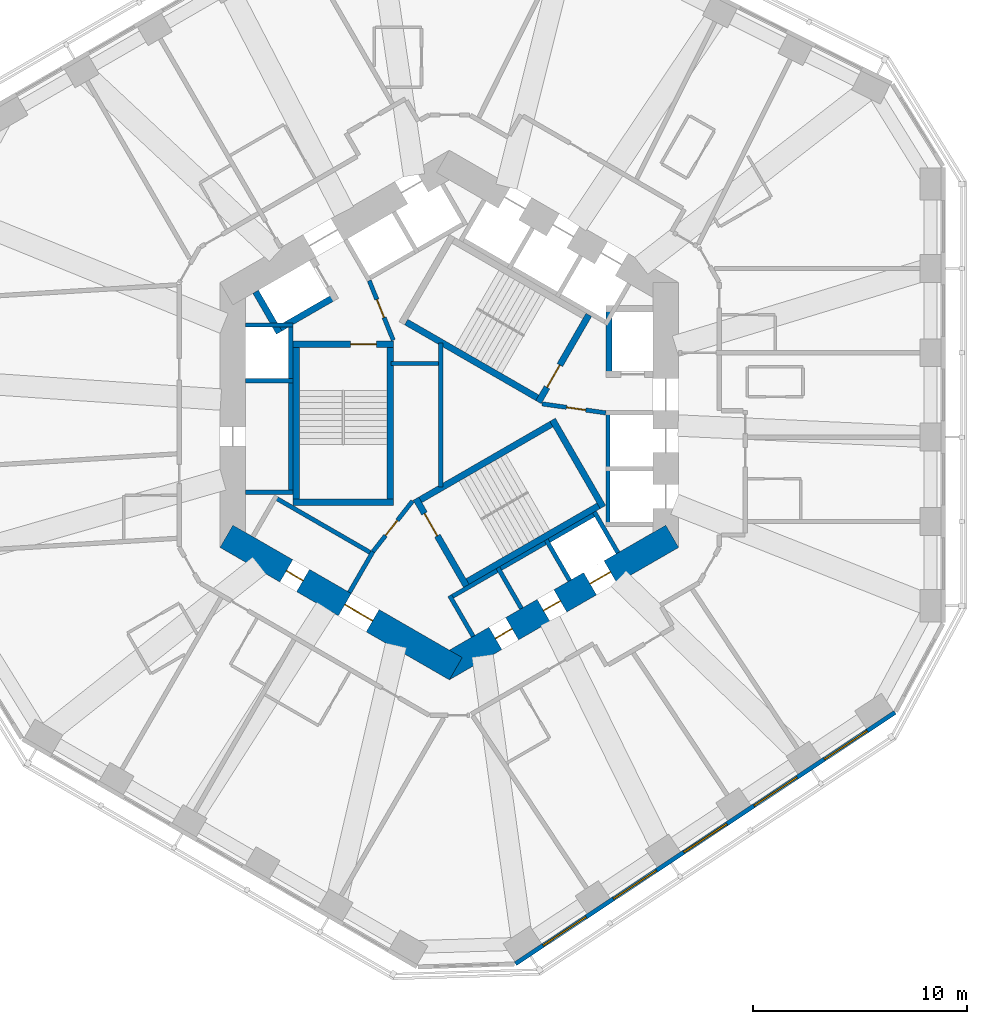
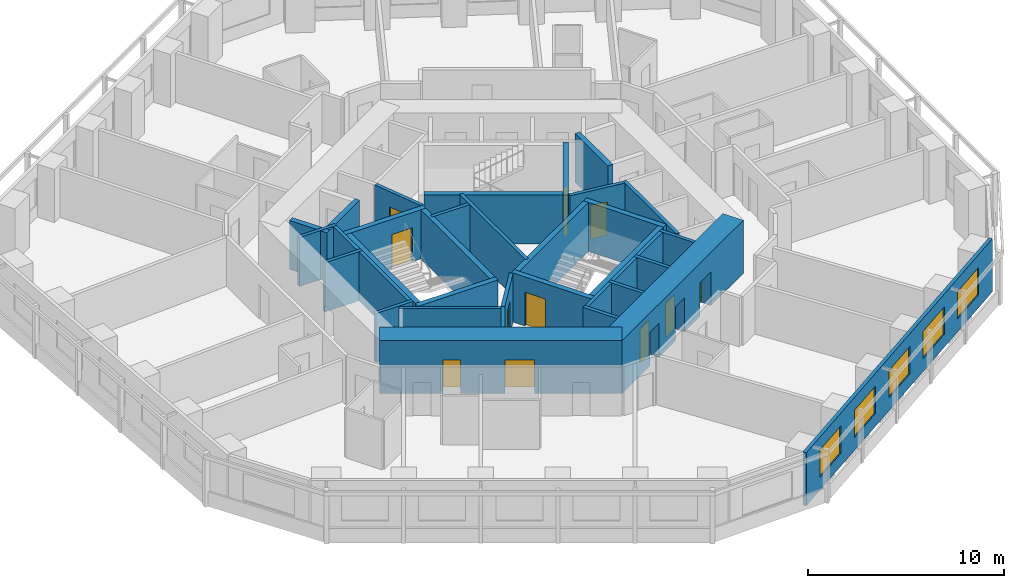
# One storey, part 5 of 12: 33 walls, 11 doors, 5 windows, 16 openings.
"""IFC4 building model written with IfcOpenShell, lengths in metres."""

from ifc_helpers import new_model, si_unit, direction, frame, frame_2d, origin, place, context, subcontext, project, spatial, rectangle, extrude, material, layer, layer_set, type_object, element, fill, save


model = new_model("IFC4")

# Units and contexts
model_context = context("Model", 3, precision=1e-05, world=origin(), true_north=direction((0.0, 1.0)))
body_context = subcontext(model_context, "Body", "Model", "MODEL_VIEW")
ifc_project = project(units=[si_unit("LENGTHUNIT", "METRE"), si_unit("AREAUNIT", "SQUARE_METRE"), si_unit("VOLUMEUNIT", "CUBIC_METRE"), si_unit("PLANEANGLEUNIT", "RADIAN"), si_unit("MASSUNIT", "GRAM", prefix="KILO")], contexts=[model_context])

# Site, building, storey
site_placement = place(None, origin())
site = spatial("IfcSite", under=ifc_project, at=site_placement, CompositionType="ELEMENT")
building_placement = place(site_placement, origin())
building = spatial("IfcBuilding", under=site, at=building_placement, Name="Vanh Sen Convention Tower", CompositionType="ELEMENT")
storey_placement = place(building_placement, frame((0.0, 0.0, 50.60009765625)))
storey = spatial("IfcBuildingStorey", under=building, at=storey_placement, Name="L09", CompositionType="ELEMENT", Elevation=50.60009765625)

# Wall, openings, doors
ifc_material_1 = material(Name="Concrete C80/95", Category="concrete")
ifc_layer_1 = layer(ifc_material_1, 1.199951171875)
ifc_layer_set_1 = layer_set([ifc_layer_1], Name="Concrete C80/95")
wall_type_1 = type_object("IfcWallType", Name="Core outer wall 1200 C80/95", PredefinedType="SHEAR", material=ifc_layer_set_1)
wall_1_placement = place(storey_placement, frame((-10.39990234375, -5.657958984375, 0.0), z_axis=(0.0, 0.0, 1.0), x_axis=(0.866021384402, -0.500006961711, 0.0)))
wall_1 = element("IfcWall", 1, at=wall_1_placement, inside=storey, type_object=wall_type_1, Name="Core wall face SW L09", PredefinedType="SHEAR", context=body_context, shape_type="SweptSolid", body=[
    extrude(rectangle(XDim=12.355224609375, YDim=1.199951171875, at=frame_2d((6.177734375, 0.0))), origin(), (0.0, 0.0, 1.0), 3.2998046875),
])
opening_1_placement = place(wall_1_placement, frame((6.377685546875, 0.0, 0.0)))
opening_1 = element("IfcOpeningElement", 2, at=opening_1_placement, cuts=wall_1, Name="Opening D07003", PredefinedType="OPENING", context=body_context, shape_type="SweptSolid", body=[
    extrude(rectangle(XDim=1.5, YDim=2.10009765625, at=frame_2d((0.75, 1.050048828125))), frame((0.0, 0.60986328125, 0.0), z_axis=(0.0, -1.0, 0.0), x_axis=(1.0, 0.0, 0.0)), (0.0, 0.0, 1.0), 1.219970703125),
])
opening_2_placement = place(wall_1_placement, frame((3.227783203125, 0.0, 0.0)))
opening_2 = element("IfcOpeningElement", 3, at=opening_2_placement, cuts=wall_1, Name="Opening D07011", PredefinedType="OPENING", context=body_context, shape_type="SweptSolid", body=[
    extrude(rectangle(XDim=0.89990234375, YDim=2.10009765625, at=frame_2d((0.449951171875, 1.050048828125))), frame((0.0, 0.60986328125, 0.0), z_axis=(0.0, -1.0, 0.0), x_axis=(1.0, 0.0, 0.0)), (0.0, 0.0, 1.0), 1.219970703125),
])
ifc_material_2 = material(Name="Steel S355", Category="steel")
door_type_1 = type_object("IfcDoorType", Name="Plant door 900", OperationType="SINGLE_SWING_LEFT", PredefinedType="DOOR", material=ifc_material_2)
door_1_placement = place(opening_2_placement, origin())
door_1 = element("IfcDoor", 4, at=door_1_placement, inside=storey, type_object=door_type_1, Name="Plant door D07011", OperationType="SINGLE_SWING_LEFT", OverallHeight=2.10009765625, OverallWidth=0.89990234375, PredefinedType="DOOR", context=body_context, shape_type="SweptSolid", body=[
    extrude(rectangle(XDim=0.89990234375, YDim=2.10009765625, at=frame_2d((0.449951171875, 1.050048828125))), frame((0.0, 0.02490234375, 0.0), z_axis=(0.0, -1.0, 0.0), x_axis=(1.0, 0.0, 0.0)), (0.0, 0.0, 1.0), 0.050048828125),
])
fill(opening_2, door_1)
door_type_2 = type_object("IfcDoorType", Name="Stair lobby door 1500", OperationType="DOUBLE_DOOR_SINGLE_SWING", PredefinedType="DOOR", material=ifc_material_2)
door_2_placement = place(opening_1_placement, origin())
door_2 = element("IfcDoor", 5, at=door_2_placement, inside=storey, type_object=door_type_2, Name="Stair lobby door D07003", OperationType="DOUBLE_DOOR_SINGLE_SWING", OverallHeight=2.10009765625, OverallWidth=1.5, PredefinedType="DOOR", context=body_context, shape_type="SweptSolid", body=[
    extrude(rectangle(XDim=1.5, YDim=2.10009765625, at=frame_2d((0.75, 1.050048828125))), frame((0.0, 0.02490234375, 0.0), z_axis=(0.0, -1.0, 0.0), x_axis=(1.0, 0.0, 0.0)), (0.0, 0.0, 1.0), 0.050048828125),
])
fill(opening_1, door_2)

wall_2_placement = place(storey_placement, frame((-0.300048828125, -11.835693359375, 0.0), z_axis=(0.0, 0.0, 1.0), x_axis=(0.866021384402, 0.500006961711, 0.0)))
wall_2 = element("IfcWall", 6, at=wall_2_placement, inside=storey, type_object=wall_type_1, Name="Core wall face SE L09", PredefinedType="SHEAR", context=body_context, shape_type="SweptSolid", body=[
    extrude(rectangle(XDim=12.355224609375, YDim=1.199951171875, at=frame_2d((6.177734375, 0.0))), origin(), (0.0, 0.0, 1.0), 3.2998046875),
])
opening_3_placement = place(wall_2_placement, frame((2.82763671875, 0.0, 0.0)))
opening_3 = element("IfcOpeningElement", 7, at=opening_3_placement, cuts=wall_2, Name="Opening D07012", PredefinedType="OPENING", context=body_context, shape_type="SweptSolid", body=[
    extrude(rectangle(XDim=0.89990234375, YDim=2.10009765625, at=frame_2d((0.449951171875, 1.050048828125))), frame((0.0, 0.60986328125, 0.0), z_axis=(0.0, -1.0, 0.0), x_axis=(1.0, 0.0, 0.0)), (0.0, 0.0, 1.0), 1.219970703125),
])
opening_4_placement = place(wall_2_placement, frame((5.427734375, 0.0, 0.0)))
opening_4 = element("IfcOpeningElement", 8, at=opening_4_placement, cuts=wall_2, Name="Opening D07013", PredefinedType="OPENING", context=body_context, shape_type="SweptSolid", body=[
    extrude(rectangle(XDim=0.89990234375, YDim=2.10009765625, at=frame_2d((0.449951171875, 1.050048828125))), frame((0.0, 0.60986328125, 0.0), z_axis=(0.0, -1.0, 0.0), x_axis=(1.0, 0.0, 0.0)), (0.0, 0.0, 1.0), 1.219970703125),
])
opening_5_placement = place(wall_2_placement, frame((7.927734375, 0.0, 0.0)))
opening_5 = element("IfcOpeningElement", 9, at=opening_5_placement, cuts=wall_2, Name="Opening LD-SV1", PredefinedType="OPENING", context=body_context, shape_type="SweptSolid", body=[
    extrude(rectangle(XDim=1.10009765625, YDim=2.10009765625, at=frame_2d((0.550048828125, 1.050048828125))), frame((0.0, 0.60986328125, 0.0), z_axis=(0.0, -1.0, 0.0), x_axis=(1.0, 0.0, 0.0)), (0.0, 0.0, 1.0), 1.219970703125),
])
ifc_material_3 = material(Name="Stainless steel", Category="steel")
door_type_3 = type_object("IfcDoorType", Name="Lift landing door 1100", OperationType="DOUBLE_DOOR_SLIDING", PredefinedType="DOOR", material=ifc_material_3)
door_3_placement = place(opening_5_placement, origin())
door_3 = element("IfcDoor", 10, at=door_3_placement, inside=storey, type_object=door_type_3, Name="Lift SV1 landing door LD-SV1", OperationType="DOUBLE_DOOR_SLIDING", OverallHeight=2.10009765625, OverallWidth=1.10009765625, PredefinedType="DOOR", context=body_context, shape_type="SweptSolid", body=[
    extrude(rectangle(XDim=1.10009765625, YDim=2.10009765625, at=frame_2d((0.550048828125, 1.050048828125))), frame((0.0, 0.02490234375, 0.0), z_axis=(0.0, -1.0, 0.0), x_axis=(1.0, 0.0, 0.0)), (0.0, 0.0, 1.0), 0.050048828125),
])
fill(opening_5, door_3)
door_4_placement = place(opening_3_placement, origin())
door_4 = element("IfcDoor", 11, at=door_4_placement, inside=storey, type_object=door_type_1, Name="Plant door D07012", OperationType="SINGLE_SWING_LEFT", OverallHeight=2.10009765625, OverallWidth=0.89990234375, PredefinedType="DOOR", context=body_context, shape_type="SweptSolid", body=[
    extrude(rectangle(XDim=0.89990234375, YDim=2.10009765625, at=frame_2d((0.449951171875, 1.050048828125))), frame((0.0, 0.02490234375, 0.0), z_axis=(0.0, -1.0, 0.0), x_axis=(1.0, 0.0, 0.0)), (0.0, 0.0, 1.0), 0.050048828125),
])
fill(opening_3, door_4)
door_5_placement = place(opening_4_placement, origin())
door_5 = element("IfcDoor", 12, at=door_5_placement, inside=storey, type_object=door_type_1, Name="Plant door D07013", OperationType="SINGLE_SWING_LEFT", OverallHeight=2.10009765625, OverallWidth=0.89990234375, PredefinedType="DOOR", context=body_context, shape_type="SweptSolid", body=[
    extrude(rectangle(XDim=0.89990234375, YDim=2.10009765625, at=frame_2d((0.449951171875, 1.050048828125))), frame((0.0, 0.02490234375, 0.0), z_axis=(0.0, -1.0, 0.0), x_axis=(1.0, 0.0, 0.0)), (0.0, 0.0, 1.0), 0.050048828125),
])
fill(opening_4, door_5)

# Walls
ifc_material_4 = material(Name="Masonry blockwork", Category="masonry")
ifc_layer_2 = layer(ifc_material_4, 0.199951171875)
ifc_layer_set_2 = layer_set([ifc_layer_2], Name="Masonry blockwork")
wall_type_2 = type_object("IfcWallType", Name="Core partition 200", PredefinedType="PARTITIONING", material=ifc_layer_set_2)
wall_3_placement = place(storey_placement, frame((-2.719970703125, 2.39990234375, 0.0), z_axis=(0.0, 0.0, 1.0), x_axis=(1.0, 0.0, 0.0)))
element("IfcWall", 13, at=wall_3_placement, inside=storey, type_object=wall_type_2, Name="Core partition L09", PredefinedType="PARTITIONING", context=body_context, shape_type="SweptSolid", body=[
    extrude(rectangle(XDim=2.219970703125, YDim=0.199951171875, at=frame_2d((1.10986328125, 0.0))), origin(), (0.0, 0.0, 1.0), 3.0498046875),
])
wall_4_placement = place(storey_placement, frame((-0.39990234375, -3.353271484375, 0.0), z_axis=(0.0, 0.0, 1.0), x_axis=(0.0, 1.0, 0.0)))
element("IfcWall", 14, at=wall_4_placement, inside=storey, type_object=wall_type_2, Name="Core partition L09", PredefinedType="PARTITIONING", context=body_context, shape_type="SweptSolid", body=[
    extrude(rectangle(XDim=6.70654296875, YDim=0.199951171875, at=frame_2d((3.353271484375, 0.0))), origin(), (0.0, 0.0, 1.0), 3.0498046875),
])

# Wall, openings, windows
ifc_material_5 = material(Name="Insulated lightweight infill wall")
ifc_layer_3 = layer(ifc_material_5, 0.199951171875)
ifc_layer_set_3 = layer_set([ifc_layer_3], Name="Insulated lightweight infill wall")
wall_type_3 = type_object("IfcWallType", Name="External wall 200", PredefinedType="STANDARD", material=ifc_layer_set_3)
wall_5_placement = place(storey_placement, frame((3.0830078125, -25.60107421875, 0.0), z_axis=(0.0, 0.0, 1.0), x_axis=(0.833884295743, 0.551939291329, 0.0)))
wall_5 = element("IfcWall", 15, at=wall_5_placement, inside=storey, type_object=wall_type_3, Name="External wall SE L09", PredefinedType="STANDARD", context=body_context, shape_type="SweptSolid", body=[
    extrude(rectangle(XDim=21.24609375, YDim=0.199951171875, at=frame_2d((10.623046875, 0.0))), origin(), (0.0, 0.0, 1.0), 3.2998046875),
])
opening_6_placement = place(wall_5_placement, frame((1.552978515625, 0.0, 0.800048828125)))
opening_6 = element("IfcOpeningElement", 16, at=opening_6_placement, cuts=wall_5, Name="Opening WH1-SE1", PredefinedType="OPENING", context=body_context, shape_type="SweptSolid", body=[
    extrude(rectangle(XDim=2.39990234375, YDim=1.699951171875, at=frame_2d((1.199951171875, 0.85009765625))), frame((0.0, 0.10986328125, 0.0), z_axis=(0.0, -1.0, 0.0), x_axis=(1.0, 0.0, 0.0)), (0.0, 0.0, 1.0), 0.219970703125),
])
opening_7_placement = place(wall_5_placement, frame((5.487548828125, 0.0, 0.800048828125)))
opening_7 = element("IfcOpeningElement", 17, at=opening_7_placement, cuts=wall_5, Name="Opening WH1-SE2", PredefinedType="OPENING", context=body_context, shape_type="SweptSolid", body=[
    extrude(rectangle(XDim=2.39990234375, YDim=1.699951171875, at=frame_2d((1.199951171875, 0.85009765625))), frame((0.0, 0.10986328125, 0.0), z_axis=(0.0, -1.0, 0.0), x_axis=(1.0, 0.0, 0.0)), (0.0, 0.0, 1.0), 0.219970703125),
])
opening_8_placement = place(wall_5_placement, frame((9.422119140625, 0.0, 0.800048828125)))
opening_8 = element("IfcOpeningElement", 18, at=opening_8_placement, cuts=wall_5, Name="Opening WH1-SE3", PredefinedType="OPENING", context=body_context, shape_type="SweptSolid", body=[
    extrude(rectangle(XDim=2.39990234375, YDim=1.699951171875, at=frame_2d((1.199951171875, 0.85009765625))), frame((0.0, 0.10986328125, 0.0), z_axis=(0.0, -1.0, 0.0), x_axis=(1.0, 0.0, 0.0)), (0.0, 0.0, 1.0), 0.219970703125),
])
opening_9_placement = place(wall_5_placement, frame((13.356689453125, 0.0, 0.800048828125)))
opening_9 = element("IfcOpeningElement", 19, at=opening_9_placement, cuts=wall_5, Name="Opening WH1-SE4", PredefinedType="OPENING", context=body_context, shape_type="SweptSolid", body=[
    extrude(rectangle(XDim=2.39990234375, YDim=1.699951171875, at=frame_2d((1.199951171875, 0.85009765625))), frame((0.0, 0.10986328125, 0.0), z_axis=(0.0, -1.0, 0.0), x_axis=(1.0, 0.0, 0.0)), (0.0, 0.0, 1.0), 0.219970703125),
])
opening_10_placement = place(wall_5_placement, frame((17.291259765625, 0.0, 0.800048828125)))
opening_10 = element("IfcOpeningElement", 20, at=opening_10_placement, cuts=wall_5, Name="Opening WH1-SE5", PredefinedType="OPENING", context=body_context, shape_type="SweptSolid", body=[
    extrude(rectangle(XDim=2.39990234375, YDim=1.699951171875, at=frame_2d((1.199951171875, 0.85009765625))), frame((0.0, 0.10986328125, 0.0), z_axis=(0.0, -1.0, 0.0), x_axis=(1.0, 0.0, 0.0)), (0.0, 0.0, 1.0), 0.219970703125),
])
ifc_material_6 = material(Name="Aluminium frame with clear low-emissivity glass", Category="aluminium")
window_type = type_object("IfcWindowType", Name="Hotel window 2400 x 1700", PartitioningType="SINGLE_PANEL", PredefinedType="WINDOW", material=ifc_material_6)
window_1_placement = place(opening_6_placement, origin())
window_1 = element("IfcWindow", 21, at=window_1_placement, inside=storey, type_object=window_type, Name="Window WH1-SE1", OverallHeight=1.699951171875, OverallWidth=2.39990234375, PartitioningType="SINGLE_PANEL", PredefinedType="WINDOW", context=body_context, shape_type="SweptSolid", body=[
    extrude(rectangle(XDim=2.39990234375, YDim=1.699951171875, at=frame_2d((1.199951171875, 0.85009765625))), frame((0.0, 0.030029296875, 0.0), z_axis=(0.0, -1.0, 0.0), x_axis=(1.0, 0.0, 0.0)), (0.0, 0.0, 1.0), 0.06005859375),
])
fill(opening_6, window_1)
window_2_placement = place(opening_7_placement, origin())
window_2 = element("IfcWindow", 22, at=window_2_placement, inside=storey, type_object=window_type, Name="Window WH1-SE2", OverallHeight=1.699951171875, OverallWidth=2.39990234375, PartitioningType="SINGLE_PANEL", PredefinedType="WINDOW", context=body_context, shape_type="SweptSolid", body=[
    extrude(rectangle(XDim=2.39990234375, YDim=1.699951171875, at=frame_2d((1.199951171875, 0.85009765625))), frame((0.0, 0.030029296875, 0.0), z_axis=(0.0, -1.0, 0.0), x_axis=(1.0, 0.0, 0.0)), (0.0, 0.0, 1.0), 0.06005859375),
])
fill(opening_7, window_2)
window_3_placement = place(opening_8_placement, origin())
window_3 = element("IfcWindow", 23, at=window_3_placement, inside=storey, type_object=window_type, Name="Window WH1-SE3", OverallHeight=1.699951171875, OverallWidth=2.39990234375, PartitioningType="SINGLE_PANEL", PredefinedType="WINDOW", context=body_context, shape_type="SweptSolid", body=[
    extrude(rectangle(XDim=2.39990234375, YDim=1.699951171875, at=frame_2d((1.199951171875, 0.85009765625))), frame((0.0, 0.030029296875, 0.0), z_axis=(0.0, -1.0, 0.0), x_axis=(1.0, 0.0, 0.0)), (0.0, 0.0, 1.0), 0.06005859375),
])
fill(opening_8, window_3)
window_4_placement = place(opening_9_placement, origin())
window_4 = element("IfcWindow", 24, at=window_4_placement, inside=storey, type_object=window_type, Name="Window WH1-SE4", OverallHeight=1.699951171875, OverallWidth=2.39990234375, PartitioningType="SINGLE_PANEL", PredefinedType="WINDOW", context=body_context, shape_type="SweptSolid", body=[
    extrude(rectangle(XDim=2.39990234375, YDim=1.699951171875, at=frame_2d((1.199951171875, 0.85009765625))), frame((0.0, 0.030029296875, 0.0), z_axis=(0.0, -1.0, 0.0), x_axis=(1.0, 0.0, 0.0)), (0.0, 0.0, 1.0), 0.06005859375),
])
fill(opening_9, window_4)
window_5_placement = place(opening_10_placement, origin())
window_5 = element("IfcWindow", 25, at=window_5_placement, inside=storey, type_object=window_type, Name="Window WH1-SE5", OverallHeight=1.699951171875, OverallWidth=2.39990234375, PartitioningType="SINGLE_PANEL", PredefinedType="WINDOW", context=body_context, shape_type="SweptSolid", body=[
    extrude(rectangle(XDim=2.39990234375, YDim=1.699951171875, at=frame_2d((1.199951171875, 0.85009765625))), frame((0.0, 0.030029296875, 0.0), z_axis=(0.0, -1.0, 0.0), x_axis=(1.0, 0.0, 0.0)), (0.0, 0.0, 1.0), 0.06005859375),
])
fill(opening_10, window_5)

# Walls
ifc_material_7 = material(Name="Concrete C60/75", Category="concrete")
ifc_layer_4 = layer(ifc_material_7, 0.300048828125)
ifc_layer_set_4 = layer_set([ifc_layer_4], Name="Concrete C60/75")
wall_type_4 = type_object("IfcWallType", Name="Fire-fighting lift shaft wall 300", PredefinedType="SHEAR", material=ifc_layer_set_4)
wall_6_placement = place(storey_placement, frame((7.449951171875, 1.75, 0.0), z_axis=(0.0, 0.0, 1.0), x_axis=(0.0, 1.0, 0.0)))
element("IfcWall", 26, at=wall_6_placement, inside=storey, type_object=wall_type_4, Name="Fire-fighting lift shaft wall L09", PredefinedType="SHEAR", context=body_context, shape_type="SweptSolid", body=[
    extrude(rectangle(XDim=3.35009765625, YDim=0.300048828125, at=frame_2d((1.675048828125, 0.0))), origin(), (0.0, 0.0, 1.0), 3.0498046875),
])
wall_7_placement = place(storey_placement, frame((-5.240478515625, 5.576904296875, 0.0), z_axis=(0.0, 0.0, 1.0), x_axis=(-0.866014461049, -0.500018952895, 0.0)))
element("IfcWall", 27, at=wall_7_placement, inside=storey, type_object=wall_type_4, Name="Fire-fighting lift shaft wall L09", PredefinedType="SHEAR", context=body_context, shape_type="SweptSolid", body=[
    extrude(rectangle(XDim=3.349853515625, YDim=0.300048828125, at=frame_2d((1.6748046875, 0.0))), origin(), (0.0, 0.0, 1.0), 3.0498046875),
])
wall_8_placement = place(storey_placement, frame((-7.936767578125, 3.846923828125, 0.0), z_axis=(0.0, 0.0, 1.0), x_axis=(-0.50002983664, 0.866008176907, 0.0)))
element("IfcWall", 28, at=wall_8_placement, inside=storey, type_object=wall_type_4, Name="Fire-fighting lift shaft wall L09", PredefinedType="SHEAR", context=body_context, shape_type="SweptSolid", body=[
    extrude(rectangle(XDim=2.199951171875, YDim=0.300048828125, at=frame_2d((1.10009765625, 0.0))), origin(), (0.0, 0.0, 1.0), 3.0498046875),
])
ifc_material_8 = material(Name="Concrete C40/50", Category="concrete")
ifc_layer_5 = layer(ifc_material_8, 0.199951171875)
ifc_layer_set_5 = layer_set([ifc_layer_5], Name="Concrete C40/50")
wall_type_5 = type_object("IfcWallType", Name="Lift shaft wall 200", PredefinedType="PARTITIONING", material=ifc_layer_set_5)
wall_9_placement = place(storey_placement, frame((7.39990234375, -5.199951171875, 0.0), z_axis=(0.0, 0.0, 1.0), x_axis=(0.0, 1.0, 0.0)))
element("IfcWall", 29, at=wall_9_placement, inside=storey, type_object=wall_type_5, Name="Lift shaft wall L09", PredefinedType="PARTITIONING", context=body_context, shape_type="SweptSolid", body=[
    extrude(rectangle(XDim=5.39990234375, YDim=0.199951171875, at=frame_2d((2.699951171875, 0.0))), origin(), (0.0, 0.0, 1.0), 3.0498046875),
])
wall_10_placement = place(storey_placement, frame((-7.39990234375, 4.300048828125, 0.0), z_axis=(0.0, 0.0, 1.0), x_axis=(0.0, -1.0, 0.0)))
element("IfcWall", 30, at=wall_10_placement, inside=storey, type_object=wall_type_5, Name="Lift shaft wall L09", PredefinedType="PARTITIONING", context=body_context, shape_type="SweptSolid", body=[
    extrude(rectangle(XDim=8.0, YDim=0.199951171875, at=frame_2d((4.0, 0.0))), origin(), (0.0, 0.0, 1.0), 3.0498046875),
])
for number, where, z_axis, x_axis, name in (
    (31, (-7.300048828125, 4.199951171875, 0.0), (0.0, 0.0, 1.0), (-1.0, 0.0, 0.0), "Lift shaft wall L09"),
    (32, (-7.300048828125, 1.60009765625, 0.0), (0.0, 0.0, 1.0), (-1.0, 0.0, 0.0), "Lift shaft wall L09"),
    (33, (-7.300048828125, -3.60009765625, 0.0), (0.0, 0.0, 1.0), (-1.0, 0.0, 0.0), "Lift shaft wall L09"),
):
    element("IfcWall", number, at=place(storey_placement, frame(where, z_axis=z_axis, x_axis=x_axis)), inside=storey, type_object=wall_type_5, Name=name, PredefinedType="PARTITIONING", context=body_context, shape_type="SweptSolid", body=[
        extrude(rectangle(XDim=2.199951171875, YDim=0.199951171875, at=frame_2d((1.10009765625, 0.0))), origin(), (0.0, 0.0, 1.0), 3.0498046875),
    ])
wall_11_placement = place(storey_placement, frame((-8.203369140625, -3.80859375, 0.0), z_axis=(0.0, 0.0, 1.0), x_axis=(0.866028230842, -0.499995103361, 0.0)))
element("IfcWall", 34, at=wall_11_placement, inside=storey, type_object=wall_type_5, Name="Lift shaft wall L09", PredefinedType="PARTITIONING", context=body_context, shape_type="SweptSolid", body=[
    extrude(rectangle(XDim=5.39990234375, YDim=0.199951171875, at=frame_2d((2.699951171875, 0.0))), origin(), (0.0, 0.0, 1.0), 3.0498046875),
])
wall_12_placement = place(storey_placement, frame((-3.5634765625, -6.3720703125, 0.0), z_axis=(0.0, 0.0, 1.0), x_axis=(-0.499994660107, -0.866028486751, 0.0)))
element("IfcWall", 35, at=wall_12_placement, inside=storey, type_object=wall_type_5, Name="Lift shaft wall L09", PredefinedType="PARTITIONING", context=body_context, shape_type="SweptSolid", body=[
    extrude(rectangle(XDim=2.19970703125, YDim=0.199951171875, at=frame_2d((1.099853515625, 0.0))), origin(), (0.0, 0.0, 1.0), 3.0498046875),
])
wall_13_placement = place(storey_placement, frame((-0.02392578125, -8.55859375, 0.0), z_axis=(0.0, 0.0, 1.0), x_axis=(0.866026010844, 0.49999894854, 0.0)))
element("IfcWall", 36, at=wall_13_placement, inside=storey, type_object=wall_type_5, Name="Lift shaft wall L09", PredefinedType="PARTITIONING", context=body_context, shape_type="SweptSolid", body=[
    extrude(rectangle(XDim=8.0, YDim=0.199951171875, at=frame_2d((4.0, 0.0))), origin(), (0.0, 0.0, 1.0), 3.0498046875),
])
for number, where, z_axis, x_axis, name in (
    (37, (0.0126953125, -8.422119140625, 0.0), (0.0, 0.0, 1.0), (0.500077893725, -0.86598042715, 0.0), "Lift shaft wall L09"),
    (38, (2.264404296875, -7.1220703125, 0.0), (0.0, 0.0, 1.0), (0.500077893725, -0.86598042715, 0.0), "Lift shaft wall L09"),
    (39, (4.51611328125, -5.822021484375, 0.0), (0.0, 0.0, 1.0), (0.499946605688, -0.86605622881, 0.0), "Lift shaft wall L09"),
    (40, (6.767578125, -4.52197265625, 0.0), (0.0, 0.0, 1.0), (0.50002983664, -0.866008176907, 0.0), "Lift shaft wall L09"),
):
    element("IfcWall", number, at=place(storey_placement, frame(where, z_axis=z_axis, x_axis=x_axis)), inside=storey, type_object=wall_type_5, Name=name, PredefinedType="PARTITIONING", context=body_context, shape_type="SweptSolid", body=[
        extrude(rectangle(XDim=2.199951171875, YDim=0.199951171875, at=frame_2d((1.10009765625, 0.0))), origin(), (0.0, 0.0, 1.0), 3.0498046875),
    ])

# Wall, opening, door
ifc_layer_6 = layer(ifc_material_8, 0.199951171875)
ifc_layer_set_6 = layer_set([ifc_layer_6], Name="Concrete C40/50")
wall_type_6 = type_object("IfcWallType", Name="Stair lobby wall 200", PredefinedType="PARTITIONING", material=ifc_layer_set_6)
wall_14_placement = place(storey_placement, frame((4.327392578125, 0.52099609375, 0.0), z_axis=(0.0, 0.0, 1.0), x_axis=(0.990124376366, -0.14019172346, 0.0)))
wall_14 = element("IfcWall", 41, at=wall_14_placement, inside=storey, type_object=wall_type_6, Name="Stair lobby wall L09", PredefinedType="PARTITIONING", context=body_context, shape_type="SweptSolid", body=[
    extrude(rectangle(XDim=3.002197265625, YDim=0.199951171875, at=frame_2d((1.5009765625, 0.0))), origin(), (0.0, 0.0, 1.0), 3.0498046875),
])
opening_11_placement = place(wall_14_placement, frame((1.14990234375, 0.0, 0.0)))
opening_11 = element("IfcOpeningElement", 42, at=opening_11_placement, cuts=wall_14, Name="Opening D07007", PredefinedType="OPENING", context=body_context, shape_type="SweptSolid", body=[
    extrude(rectangle(XDim=0.89990234375, YDim=2.10009765625, at=frame_2d((0.449951171875, 1.050048828125))), frame((0.0, 0.10986328125, 0.0), z_axis=(0.0, -1.0, 0.0), x_axis=(1.0, 0.0, 0.0)), (0.0, 0.0, 1.0), 0.219970703125),
])
door_6_placement = place(opening_11_placement, origin())
door_6 = element("IfcDoor", 43, at=door_6_placement, inside=storey, type_object=door_type_1, Name="Plant door D07007", OperationType="SINGLE_SWING_LEFT", OverallHeight=2.10009765625, OverallWidth=0.89990234375, PredefinedType="DOOR", context=body_context, shape_type="SweptSolid", body=[
    extrude(rectangle(XDim=0.89990234375, YDim=2.10009765625, at=frame_2d((0.449951171875, 1.050048828125))), frame((0.0, 0.02490234375, 0.0), z_axis=(0.0, -1.0, 0.0), x_axis=(1.0, 0.0, 0.0)), (0.0, 0.0, 1.0), 0.050048828125),
])
fill(opening_11, door_6)

wall_15_placement = place(storey_placement, frame((-2.614990234375, 3.487060546875, 0.0), z_axis=(0.0, 0.0, 1.0), x_axis=(-0.373576831041, 0.92759924068, 0.0)))
wall_15 = element("IfcWall", 44, at=wall_15_placement, inside=storey, type_object=wall_type_6, Name="Stair lobby wall L09", PredefinedType="PARTITIONING", context=body_context, shape_type="SweptSolid", body=[
    extrude(rectangle(XDim=3.002197265625, YDim=0.199951171875, at=frame_2d((1.5009765625, 0.0))), origin(), (0.0, 0.0, 1.0), 3.0498046875),
])
opening_12_placement = place(wall_15_placement, frame((1.14990234375, 0.0, 0.0)))
opening_12 = element("IfcOpeningElement", 45, at=opening_12_placement, cuts=wall_15, Name="Opening D07008", PredefinedType="OPENING", context=body_context, shape_type="SweptSolid", body=[
    extrude(rectangle(XDim=0.89990234375, YDim=2.10009765625, at=frame_2d((0.449951171875, 1.050048828125))), frame((0.0, 0.10986328125, 0.0), z_axis=(0.0, -1.0, 0.0), x_axis=(1.0, 0.0, 0.0)), (0.0, 0.0, 1.0), 0.219970703125),
])
door_7_placement = place(opening_12_placement, origin())
door_7 = element("IfcDoor", 46, at=door_7_placement, inside=storey, type_object=door_type_1, Name="Plant door D07008", OperationType="SINGLE_SWING_LEFT", OverallHeight=2.10009765625, OverallWidth=0.89990234375, PredefinedType="DOOR", context=body_context, shape_type="SweptSolid", body=[
    extrude(rectangle(XDim=0.89990234375, YDim=2.10009765625, at=frame_2d((0.449951171875, 1.050048828125))), frame((0.0, 0.02490234375, 0.0), z_axis=(0.0, -1.0, 0.0), x_axis=(1.0, 0.0, 0.0)), (0.0, 0.0, 1.0), 0.050048828125),
])
fill(opening_12, door_7)

wall_16_placement = place(storey_placement, frame((-1.71240234375, -4.00830078125, 0.0), z_axis=(0.0, 0.0, 1.0), x_axis=(-0.616549420702, -0.787316208287, 0.0)))
wall_16 = element("IfcWall", 47, at=wall_16_placement, inside=storey, type_object=wall_type_6, Name="Stair lobby wall L09", PredefinedType="PARTITIONING", context=body_context, shape_type="SweptSolid", body=[
    extrude(rectangle(XDim=3.002197265625, YDim=0.199951171875, at=frame_2d((1.5009765625, 0.0))), origin(), (0.0, 0.0, 1.0), 3.0498046875),
])
opening_13_placement = place(wall_16_placement, frame((1.14990234375, 0.0, 0.0)))
opening_13 = element("IfcOpeningElement", 48, at=opening_13_placement, cuts=wall_16, Name="Opening D07009", PredefinedType="OPENING", context=body_context, shape_type="SweptSolid", body=[
    extrude(rectangle(XDim=0.89990234375, YDim=2.10009765625, at=frame_2d((0.449951171875, 1.050048828125))), frame((0.0, 0.10986328125, 0.0), z_axis=(0.0, -1.0, 0.0), x_axis=(1.0, 0.0, 0.0)), (0.0, 0.0, 1.0), 0.219970703125),
])
door_8_placement = place(opening_13_placement, origin())
door_8 = element("IfcDoor", 49, at=door_8_placement, inside=storey, type_object=door_type_1, Name="Plant door D07009", OperationType="SINGLE_SWING_LEFT", OverallHeight=2.10009765625, OverallWidth=0.89990234375, PredefinedType="DOOR", context=body_context, shape_type="SweptSolid", body=[
    extrude(rectangle(XDim=0.89990234375, YDim=2.10009765625, at=frame_2d((0.449951171875, 1.050048828125))), frame((0.0, 0.02490234375, 0.0), z_axis=(0.0, -1.0, 0.0), x_axis=(1.0, 0.0, 0.0)), (0.0, 0.0, 1.0), 0.050048828125),
])
fill(opening_13, door_8)

ifc_layer_7 = layer(ifc_material_7, 0.300048828125)
ifc_layer_set_7 = layer_set([ifc_layer_7], Name="Concrete C60/75")
wall_type_7 = type_object("IfcWallType", Name="Stair wall 300", PredefinedType="SHEAR", material=ifc_layer_set_7)
wall_17_placement = place(storey_placement, frame((4.157958984375, 0.601806640625, 0.0), z_axis=(0.0, 0.0, 1.0), x_axis=(0.499977259774, 0.866038532462, 0.0)))
wall_17 = element("IfcWall", 50, at=wall_17_placement, inside=storey, type_object=wall_type_7, Name="Stair wall L09", PredefinedType="SHEAR", context=body_context, shape_type="SweptSolid", body=[
    extrude(rectangle(XDim=4.699951171875, YDim=0.300048828125, at=frame_2d((2.35009765625, 0.0))), origin(), (0.0, 0.0, 1.0), 3.0498046875),
])
opening_14_placement = place(wall_17_placement, frame((0.800048828125, 0.0, 0.0)))
opening_14 = element("IfcOpeningElement", 51, at=opening_14_placement, cuts=wall_17, Name="Opening D07004", PredefinedType="OPENING", context=body_context, shape_type="SweptSolid", body=[
    extrude(rectangle(XDim=1.199951171875, YDim=2.10009765625, at=frame_2d((0.60009765625, 1.050048828125))), frame((0.0, 0.159912109375, 0.0), z_axis=(0.0, -1.0, 0.0), x_axis=(1.0, 0.0, 0.0)), (0.0, 0.0, 1.0), 0.320068359375),
])
door_type_4 = type_object("IfcDoorType", Name="Stair door 1200", OperationType="SINGLE_SWING_RIGHT", PredefinedType="DOOR", material=ifc_material_2)
door_9_placement = place(opening_14_placement, origin())
door_9 = element("IfcDoor", 52, at=door_9_placement, inside=storey, type_object=door_type_4, Name="Stair ST1 door D07004", OperationType="SINGLE_SWING_RIGHT", OverallHeight=2.10009765625, OverallWidth=1.199951171875, PredefinedType="DOOR", context=body_context, shape_type="SweptSolid", body=[
    extrude(rectangle(XDim=1.199951171875, YDim=2.10009765625, at=frame_2d((0.60009765625, 1.050048828125))), frame((0.0, 0.02490234375, 0.0), z_axis=(0.0, -1.0, 0.0), x_axis=(1.0, 0.0, 0.0)), (0.0, 0.0, 1.0), 0.050048828125),
])
fill(opening_14, door_9)

# Wall
wall_18_placement = place(storey_placement, frame((4.10302734375, 0.806640625, 0.0), z_axis=(0.0, 0.0, 1.0), x_axis=(-0.866027801685, 0.499995846692, 0.0)))
element("IfcWall", 53, at=wall_18_placement, inside=storey, type_object=wall_type_7, Name="Stair wall L09", PredefinedType="SHEAR", context=body_context, shape_type="SweptSolid", body=[
    extrude(rectangle(XDim=7.06005859375, YDim=0.300048828125, at=frame_2d((3.530029296875, 0.0))), origin(), (0.0, 0.0, 1.0), 3.0498046875),
])

# Wall, opening, door
wall_19_placement = place(storey_placement, frame((-2.60009765625, 3.300048828125, 0.0), z_axis=(0.0, 0.0, 1.0), x_axis=(-1.0, 0.0, 0.0)))
wall_19 = element("IfcWall", 54, at=wall_19_placement, inside=storey, type_object=wall_type_7, Name="Stair wall L09", PredefinedType="SHEAR", context=body_context, shape_type="SweptSolid", body=[
    extrude(rectangle(XDim=4.699951171875, YDim=0.300048828125, at=frame_2d((2.35009765625, 0.0))), origin(), (0.0, 0.0, 1.0), 3.0498046875),
])
opening_15_placement = place(wall_19_placement, frame((0.800048828125, 0.0, 0.0)))
opening_15 = element("IfcOpeningElement", 55, at=opening_15_placement, cuts=wall_19, Name="Opening D07005", PredefinedType="OPENING", context=body_context, shape_type="SweptSolid", body=[
    extrude(rectangle(XDim=1.199951171875, YDim=2.10009765625, at=frame_2d((0.60009765625, 1.050048828125))), frame((0.0, 0.159912109375, 0.0), z_axis=(0.0, -1.0, 0.0), x_axis=(1.0, 0.0, 0.0)), (0.0, 0.0, 1.0), 0.320068359375),
])
door_10_placement = place(opening_15_placement, origin())
door_10 = element("IfcDoor", 56, at=door_10_placement, inside=storey, type_object=door_type_4, Name="Stair ST2 door D07005", OperationType="SINGLE_SWING_RIGHT", OverallHeight=2.10009765625, OverallWidth=1.199951171875, PredefinedType="DOOR", context=body_context, shape_type="SweptSolid", body=[
    extrude(rectangle(XDim=1.199951171875, YDim=2.10009765625, at=frame_2d((0.60009765625, 1.050048828125))), frame((0.0, 0.02490234375, 0.0), z_axis=(0.0, -1.0, 0.0), x_axis=(1.0, 0.0, 0.0)), (0.0, 0.0, 1.0), 0.050048828125),
])
fill(opening_15, door_10)

# Walls
wall_20_placement = place(storey_placement, frame((-2.60009765625, -4.06005859375, 0.0), z_axis=(0.0, 0.0, 1.0), x_axis=(-1.0, 0.0, 0.0)))
element("IfcWall", 57, at=wall_20_placement, inside=storey, type_object=wall_type_7, Name="Stair wall L09", PredefinedType="SHEAR", context=body_context, shape_type="SweptSolid", body=[
    extrude(rectangle(XDim=4.699951171875, YDim=0.300048828125, at=frame_2d((2.35009765625, 0.0))), origin(), (0.0, 0.0, 1.0), 3.0498046875),
])
for number, where, z_axis, x_axis, name in (
    (58, (-2.75, 3.14990234375, 0.0), (0.0, 0.0, 1.0), (0.0, -1.0, 0.0), "Stair wall L09"),
    (59, (-7.14990234375, 3.14990234375, 0.0), (0.0, 0.0, 1.0), (0.0, -1.0, 0.0), "Stair wall L09"),
):
    element("IfcWall", number, at=place(storey_placement, frame(where, z_axis=z_axis, x_axis=x_axis)), inside=storey, type_object=wall_type_7, Name=name, PredefinedType="SHEAR", context=body_context, shape_type="SweptSolid", body=[
        extrude(rectangle(XDim=7.059814453125, YDim=0.300048828125, at=frame_2d((3.52978515625, 0.0))), origin(), (0.0, 0.0, 1.0), 3.0498046875),
    ])

# Wall, opening, door
wall_21_placement = place(storey_placement, frame((-1.557861328125, -3.901611328125, 0.0), z_axis=(0.0, 0.0, 1.0), x_axis=(0.499977259774, -0.866038532462, 0.0)))
wall_21 = element("IfcWall", 60, at=wall_21_placement, inside=storey, type_object=wall_type_7, Name="Stair wall L09", PredefinedType="SHEAR", context=body_context, shape_type="SweptSolid", body=[
    extrude(rectangle(XDim=4.699951171875, YDim=0.300048828125, at=frame_2d((2.35009765625, 0.0))), origin(), (0.0, 0.0, 1.0), 3.0498046875),
])
opening_16_placement = place(wall_21_placement, frame((0.800048828125, 0.0, 0.0)))
opening_16 = element("IfcOpeningElement", 61, at=opening_16_placement, cuts=wall_21, Name="Opening D07006", PredefinedType="OPENING", context=body_context, shape_type="SweptSolid", body=[
    extrude(rectangle(XDim=1.199951171875, YDim=2.10009765625, at=frame_2d((0.60009765625, 1.050048828125))), frame((0.0, 0.159912109375, 0.0), z_axis=(0.0, -1.0, 0.0), x_axis=(1.0, 0.0, 0.0)), (0.0, 0.0, 1.0), 0.320068359375),
])
door_11_placement = place(opening_16_placement, origin())
door_11 = element("IfcDoor", 62, at=door_11_placement, inside=storey, type_object=door_type_4, Name="Stair ST3 door D07006", OperationType="SINGLE_SWING_RIGHT", OverallHeight=2.10009765625, OverallWidth=1.199951171875, PredefinedType="DOOR", context=body_context, shape_type="SweptSolid", body=[
    extrude(rectangle(XDim=1.199951171875, YDim=2.10009765625, at=frame_2d((0.60009765625, 1.050048828125))), frame((0.0, 0.02490234375, 0.0), z_axis=(0.0, -1.0, 0.0), x_axis=(1.0, 0.0, 0.0)), (0.0, 0.0, 1.0), 0.050048828125),
])
fill(opening_16, door_11)

# Walls
wall_22_placement = place(storey_placement, frame((4.816162109375, -0.2216796875, 0.0), z_axis=(0.0, 0.0, 1.0), x_axis=(0.499977259774, -0.866038532462, 0.0)))
element("IfcWall", 63, at=wall_22_placement, inside=storey, type_object=wall_type_7, Name="Stair wall L09", PredefinedType="SHEAR", context=body_context, shape_type="SweptSolid", body=[
    extrude(rectangle(XDim=4.699951171875, YDim=0.300048828125, at=frame_2d((2.35009765625, 0.0))), origin(), (0.0, 0.0, 1.0), 3.0498046875),
])
for number, where, z_axis, x_axis, name in (
    (64, (-1.35302734375, -3.95654296875, 0.0), (0.0, 0.0, 1.0), (0.866027801685, 0.499995846692, 0.0), "Stair wall L09"),
    (65, (0.846923828125, -7.76708984375, 0.0), (0.0, 0.0, 1.0), (0.866027801685, 0.499995846692, 0.0), "Stair wall L09"),
):
    element("IfcWall", number, at=place(storey_placement, frame(where, z_axis=z_axis, x_axis=x_axis)), inside=storey, type_object=wall_type_7, Name=name, PredefinedType="SHEAR", context=body_context, shape_type="SweptSolid", body=[
        extrude(rectangle(XDim=7.06005859375, YDim=0.300048828125, at=frame_2d((3.530029296875, 0.0))), origin(), (0.0, 0.0, 1.0), 3.0498046875),
    ])

save(model, "model.ifc")
